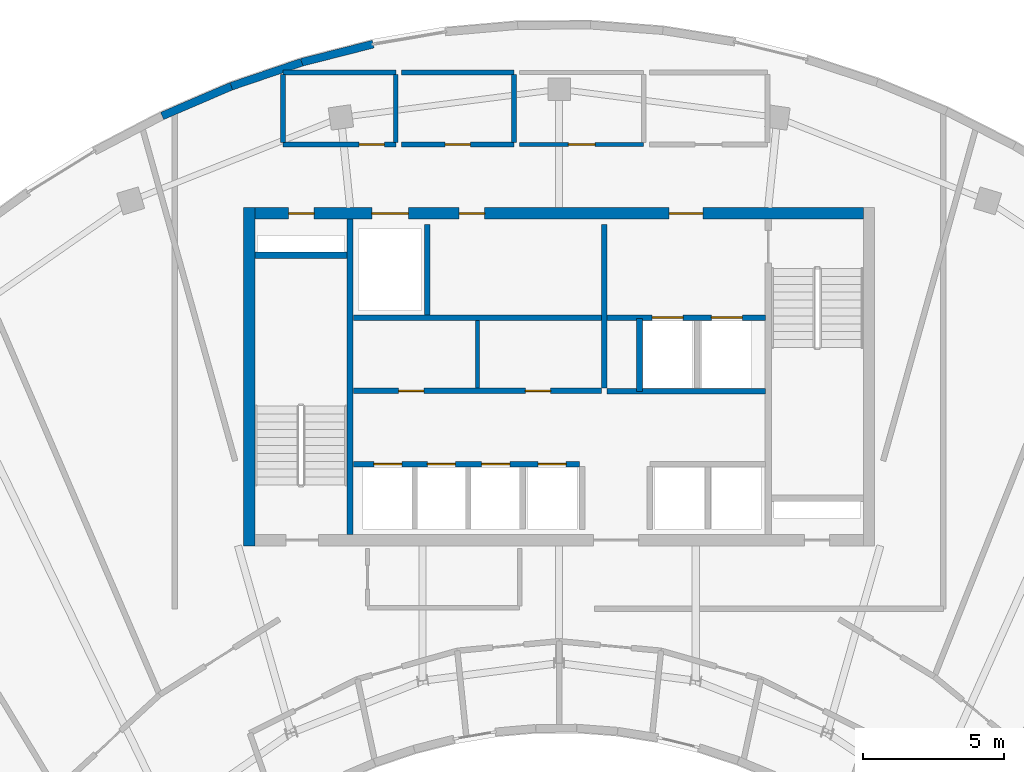
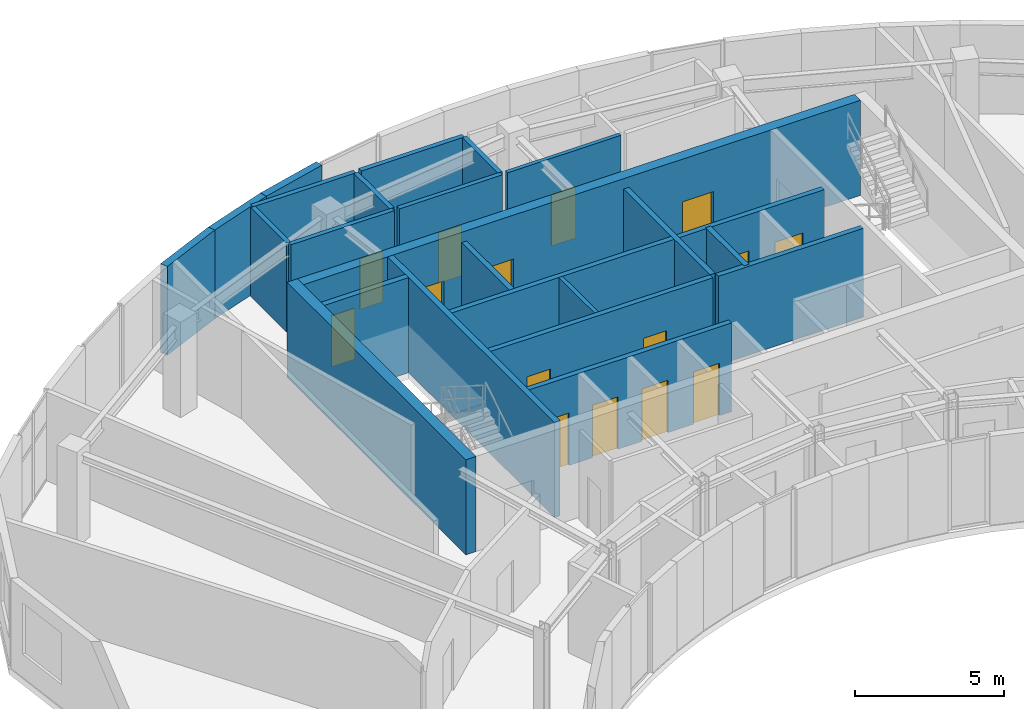
# One storey, part 6 of 9: 24 walls, 15 doors, 15 openings.
"""IFC4 building model written with IfcOpenShell, lengths in metres."""

from ifc_helpers import new_model, si_unit, direction, frame, frame_2d, origin, place, context, subcontext, project, spatial, rectangle, extrude, source, transform, mapped, material, layer, layer_set, type_object, type_shapes, element, fill, save


model = new_model("IFC4")

# Units and contexts
model_context = context("Model", 3, precision=1e-05, world=origin(), true_north=direction((0.0, 1.0)))
body_context = subcontext(model_context, "Body", "Model", "MODEL_VIEW")
ifc_project = project(units=[si_unit("LENGTHUNIT", "METRE"), si_unit("AREAUNIT", "SQUARE_METRE"), si_unit("VOLUMEUNIT", "CUBIC_METRE"), si_unit("PLANEANGLEUNIT", "RADIAN"), si_unit("MASSUNIT", "GRAM", prefix="KILO")], contexts=[model_context])

# Site, building, storey
site_placement = place(None, origin())
site = spatial("IfcSite", under=ifc_project, at=site_placement, CompositionType="ELEMENT")
building_placement = place(site_placement, origin())
building = spatial("IfcBuilding", under=site, at=building_placement, Name="Breltana Convention Tower", CompositionType="ELEMENT")
storey_placement = place(building_placement, frame((0.0, 0.0, 283.5)))
storey = spatial("IfcBuildingStorey", under=building, at=storey_placement, Name="L69", CompositionType="ELEMENT", Elevation=283.5)

# Walls
ifc_material_1 = material(Name="Concrete C50/60", Category="concrete")
ifc_layer_1 = layer(ifc_material_1, 0.39990234375, Name="Concrete C50/60")
ifc_layer_set_1 = layer_set([ifc_layer_1], Name="Concrete C50/60")
wall_type_1 = type_object("IfcWallType", Name="SW-CORE-400", PredefinedType="SHEAR", material=ifc_layer_set_1)
shared_shape_1 = source(origin(), body_context, "Body", "SweptSolid", [
    extrude(rectangle(XDim=3.27001953125, YDim=0.219970703125, at=frame_2d((1.635009765625, 0.0))), origin(), (0.0, 0.0, 1.0), 3.89990234375),
])
wall_1_placement = place(storey_placement, frame((37.199951171875, 70.510009765625, 0.0), z_axis=(0.0, 0.0, 1.0), x_axis=(1.0, 0.0, 0.0)))
element("IfcWall", 1, at=wall_1_placement, inside=storey, type_object=wall_type_1, Name="L69 ST-1 Stairwell North Bearing Wall", PredefinedType="SHEAR", context=body_context, shape_type="MappedRepresentation", body=[
    mapped(shared_shape_1, transform((0.0, 0.0, 0.0), scale=1.0)),
])
shared_shape_2 = source(origin(), body_context, "Body", "SweptSolid", [
    extrude(rectangle(XDim=12.0, YDim=0.39990234375, at=frame_2d((6.0, 0.0))), origin(), (0.0, 0.0, 1.0), 3.89990234375),
])
wall_2_placement = place(storey_placement, frame((37.0, 60.199951171875, 0.0), z_axis=(0.0, 0.0, 1.0), x_axis=(0.0, 1.0, 0.0)))
element("IfcWall", 2, at=wall_2_placement, inside=storey, type_object=wall_type_1, Name="L69 West Core Shear Wall", PredefinedType="SHEAR", context=body_context, shape_type="MappedRepresentation", body=[
    mapped(shared_shape_2, transform((0.0, 0.0, 0.0), scale=1.0)),
])

# Wall, openings, doors
shared_shape_3 = source(origin(), body_context, "Body", "SweptSolid", [
    extrude(rectangle(XDim=21.60009765625, YDim=0.39990234375, at=frame_2d((10.800048828125, 0.0))), origin(), (0.0, 0.0, 1.0), 3.89990234375),
])
wall_3_placement = place(storey_placement, frame((37.199951171875, 72.0, 0.0), z_axis=(0.0, 0.0, 1.0), x_axis=(1.0, 0.0, 0.0)))
wall_3 = element("IfcWall", 3, at=wall_3_placement, inside=storey, type_object=wall_type_1, Name="L69 North Core Shear Wall", PredefinedType="SHEAR", context=body_context, shape_type="MappedRepresentation", body=[
    mapped(shared_shape_3, transform((0.0, 0.0, 0.0), scale=1.0)),
])
opening_1_placement = place(wall_3_placement, frame((1.199951171875, 0.0, 0.0)))
opening_1 = element("IfcOpeningElement", 4, at=opening_1_placement, cuts=wall_3, Name="Opening D-18", PredefinedType="OPENING", context=body_context, shape_type="SweptSolid", body=[
    extrude(rectangle(XDim=0.89990234375, YDim=2.10009765625, at=frame_2d((0.449951171875, 1.050048828125))), frame((0.0, 0.2099609375, 0.0), z_axis=(0.0, -1.0, 0.0), x_axis=(1.0, 0.0, 0.0)), (0.0, 0.0, 1.0), 0.419921875),
])
opening_2_placement = place(wall_3_placement, frame((14.699951171875, 0.0, 0.0)))
opening_2 = element("IfcOpeningElement", 5, at=opening_2_placement, cuts=wall_3, Name="Opening D-09", PredefinedType="OPENING", context=body_context, shape_type="SweptSolid", body=[
    extrude(rectangle(XDim=1.199951171875, YDim=2.14990234375, at=frame_2d((0.60009765625, 1.074951171875))), frame((0.0, 0.2099609375, 0.0), z_axis=(0.0, -1.0, 0.0), x_axis=(1.0, 0.0, 0.0)), (0.0, 0.0, 1.0), 0.419921875),
])
opening_3_placement = place(wall_3_placement, frame((4.14990234375, 0.0, 0.0)))
opening_3 = element("IfcOpeningElement", 6, at=opening_3_placement, cuts=wall_3, Name="Opening LD-01", PredefinedType="OPENING", context=body_context, shape_type="SweptSolid", body=[
    extrude(rectangle(XDim=1.300048828125, YDim=2.14990234375, at=frame_2d((0.64990234375, 1.074951171875))), frame((0.0, 0.2099609375, 0.0), z_axis=(0.0, -1.0, 0.0), x_axis=(1.0, 0.0, 0.0)), (0.0, 0.0, 1.0), 0.419921875),
])
opening_4_placement = place(wall_3_placement, frame((7.25, 0.0, 0.0)))
opening_4 = element("IfcOpeningElement", 7, at=opening_4_placement, cuts=wall_3, Name="Opening D-18", PredefinedType="OPENING", context=body_context, shape_type="SweptSolid", body=[
    extrude(rectangle(XDim=0.89990234375, YDim=2.10009765625, at=frame_2d((0.449951171875, 1.050048828125))), frame((0.0, 0.2099609375, 0.0), z_axis=(0.0, -1.0, 0.0), x_axis=(1.0, 0.0, 0.0)), (0.0, 0.0, 1.0), 0.419921875),
])
ifc_material_2 = material(Name="Steel Riser Fire Door", Category="steel")
door_type_1 = type_object("IfcDoorType", Name="DR-FD60-900", OperationType="NOTDEFINED", PredefinedType="DOOR", material=ifc_material_2)
shared_shape_4 = source(origin(), body_context, "Body", "SweptSolid", [
    extrude(rectangle(XDim=0.89990234375, YDim=2.10009765625, at=frame_2d((0.449951171875, 1.050048828125))), frame((0.0, 0.02490234375, 0.0), z_axis=(0.0, -1.0, 0.0), x_axis=(1.0, 0.0, 0.0)), (0.0, 0.0, 1.0), 0.050048828125),
])
type_shapes(door_type_1, [shared_shape_4])
door_1_placement = place(opening_1_placement, origin())
door_1 = element("IfcDoor", 8, at=door_1_placement, inside=storey, type_object=door_type_1, Name="L69 Core Riser Access Door D-L69-RS1", OperationType="SINGLE_SWING_LEFT", OverallHeight=2.10009765625, OverallWidth=0.89990234375, PredefinedType="DOOR", context=body_context, shape_type="MappedRepresentation", body=[
    mapped(shared_shape_4, transform((0.0, 0.0, 0.0), scale=1.0)),
])
fill(opening_1, door_1)
door_2_placement = place(opening_4_placement, origin())
door_2 = element("IfcDoor", 9, at=door_2_placement, inside=storey, type_object=door_type_1, Name="L69 interior door D-L69-CRA1", OperationType="SINGLE_SWING_LEFT", OverallHeight=2.10009765625, OverallWidth=0.89990234375, PredefinedType="DOOR", context=body_context, shape_type="MappedRepresentation", body=[
    mapped(shared_shape_4, transform((0.0, 0.0, 0.0), scale=1.0)),
])
fill(opening_4, door_2)
ifc_material_3 = material(Name="Steel Fire Lobby Door", Category="steel")
door_type_2 = type_object("IfcDoorType", Name="DR-FD120-1200", OperationType="NOTDEFINED", PredefinedType="DOOR", material=ifc_material_3)
shared_shape_5 = source(origin(), body_context, "Body", "SweptSolid", [
    extrude(rectangle(XDim=1.199951171875, YDim=2.14990234375, at=frame_2d((0.60009765625, 1.074951171875))), frame((0.0, 0.02490234375, 0.0), z_axis=(0.0, -1.0, 0.0), x_axis=(1.0, 0.0, 0.0)), (0.0, 0.0, 1.0), 0.050048828125),
])
type_shapes(door_type_2, [shared_shape_5])
door_3_placement = place(opening_2_placement, origin())
door_3 = element("IfcDoor", 10, at=door_3_placement, inside=storey, type_object=door_type_2, Name="L69 interior door D-L69-FFL-N", OperationType="SINGLE_SWING_RIGHT", OverallHeight=2.14990234375, OverallWidth=1.199951171875, PredefinedType="DOOR", context=body_context, shape_type="MappedRepresentation", body=[
    mapped(shared_shape_5, transform((0.0, 0.0, 0.0), scale=1.0)),
])
fill(opening_2, door_3)
ifc_material_4 = material(Name="Stainless Steel Brushed", Category="steel")
door_type_3 = type_object("IfcDoorType", Name="DR-LD-SRV-1300", OperationType="DOUBLE_DOOR_SLIDING", PredefinedType="DOOR", material=ifc_material_4)
shared_shape_6 = source(origin(), body_context, "Body", "SweptSolid", [
    extrude(rectangle(XDim=1.300048828125, YDim=2.14990234375, at=frame_2d((0.64990234375, 1.074951171875))), frame((0.0, 0.02490234375, 0.0), z_axis=(0.0, -1.0, 0.0), x_axis=(1.0, 0.0, 0.0)), (0.0, 0.0, 1.0), 0.050048828125),
])
type_shapes(door_type_3, [shared_shape_6])
door_4_placement = place(opening_3_placement, origin())
door_4 = element("IfcDoor", 11, at=door_4_placement, inside=storey, type_object=door_type_3, Name="L69 Lift Landing Door D-L69-LD-SV1", OperationType="DOUBLE_DOOR_SLIDING", OverallHeight=2.14990234375, OverallWidth=1.300048828125, PredefinedType="DOOR", context=body_context, shape_type="MappedRepresentation", body=[
    mapped(shared_shape_6, transform((0.0, 0.0, 0.0), scale=1.0)),
])
fill(opening_3, door_4)

# Walls
shared_shape_7 = source(origin(), body_context, "Body", "SweptSolid", [
    extrude(rectangle(XDim=11.199951171875, YDim=0.219970703125, at=frame_2d((5.60009765625, 0.0))), origin(), (0.0, 0.0, 1.0), 3.89990234375),
])
wall_4_placement = place(storey_placement, frame((40.580078125, 60.60009765625, 0.0), z_axis=(0.0, 0.0, 1.0), x_axis=(0.0, 1.0, 0.0)))
element("IfcWall", 12, at=wall_4_placement, inside=storey, type_object=wall_type_1, Name="L69 Core West Stair Spine Wall", PredefinedType="SHEAR", context=body_context, shape_type="MappedRepresentation", body=[
    mapped(shared_shape_7, transform((0.0, 0.0, 0.0), scale=1.0)),
])
ifc_material_5 = material(Name="Limestone Buff Insulated Wall", Category="masonry")
ifc_layer_2 = layer(ifc_material_5, 0.280029296875, Name="Limestone Buff Insulated Wall")
ifc_layer_set_2 = layer_set([ifc_layer_2], Name="Limestone Buff Insulated Wall")
wall_type_2 = type_object("IfcWallType", Name="WL-EXT-NOSE-280", PredefinedType="SOLIDWALL", material=ifc_layer_set_2)
shared_shape_8 = source(origin(), body_context, "Body", "SweptSolid", [
    extrude(rectangle(XDim=2.67333984375, YDim=0.280029296875, at=frame_2d((1.336669921875, 0.0))), origin(), (0.0, 0.0, 1.0), 3.639892578125),
])
wall_5_placement = place(storey_placement, frame((33.906982421875, 75.45751953125, 0.0), z_axis=(0.0, 0.0, 1.0), x_axis=(0.919036345912, 0.394172798266, 0.0)))
element("IfcWall", 13, at=wall_5_placement, inside=storey, type_object=wall_type_2, Name="L69 curved limestone nose wall E22", PredefinedType="SOLIDWALL", context=body_context, shape_type="MappedRepresentation", body=[
    mapped(shared_shape_8, transform((0.0, 0.0, 0.0), scale=1.0)),
])
shared_shape_9 = source(origin(), body_context, "Body", "SweptSolid", [
    extrude(rectangle(XDim=2.640380859375, YDim=0.280029296875, at=frame_2d((1.3203125, 0.0))), origin(), (0.0, 0.0, 1.0), 3.639892578125),
])
wall_6_placement = place(storey_placement, frame((36.36376953125, 76.51123046875, 0.0), z_axis=(0.0, 0.0, 1.0), x_axis=(0.946685911962, 0.322158011064, 0.0)))
element("IfcWall", 14, at=wall_6_placement, inside=storey, type_object=wall_type_2, Name="L69 curved limestone nose wall E23", PredefinedType="SOLIDWALL", context=body_context, shape_type="MappedRepresentation", body=[
    mapped(shared_shape_9, transform((0.0, 0.0, 0.0), scale=1.0)),
])
shared_shape_10 = source(origin(), body_context, "Body", "SweptSolid", [
    extrude(rectangle(XDim=2.6142578125, YDim=0.280029296875, at=frame_2d((1.30712890625, 0.0))), origin(), (0.0, 0.0, 1.0), 3.639892578125),
])
wall_7_placement = place(storey_placement, frame((38.86328125, 77.36181640625, 0.0), z_axis=(0.0, 0.0, 1.0), x_axis=(0.969106509315, 0.246642602978, 0.0)))
element("IfcWall", 15, at=wall_7_placement, inside=storey, type_object=wall_type_2, Name="L69 curved limestone nose wall E24", PredefinedType="SOLIDWALL", context=body_context, shape_type="MappedRepresentation", body=[
    mapped(shared_shape_10, transform((0.0, 0.0, 0.0), scale=1.0)),
])

# Wall, openings, doors
ifc_material_6 = material(Name="Autoclaved Aerated Concrete Block", Category="concrete")
ifc_layer_3 = layer(ifc_material_6, 0.199951171875, Name="Autoclaved Aerated Concrete Block")
ifc_layer_set_3 = layer_set([ifc_layer_3], Name="Autoclaved Aerated Concrete Block")
wall_type_3 = type_object("IfcWallType", Name="WL-SHAFT-200", PredefinedType="SOLIDWALL", material=ifc_layer_set_3)
shared_shape_11 = source(origin(), body_context, "Body", "SweptSolid", [
    extrude(rectangle(XDim=5.6201171875, YDim=0.199951171875, at=frame_2d((2.81005859375, 0.0))), origin(), (0.0, 0.0, 1.0), 3.639892578125),
])
wall_8_placement = place(storey_placement, frame((49.699951171875, 68.300048828125, 0.0), z_axis=(0.0, 0.0, 1.0), x_axis=(1.0, 0.0, 0.0)))
wall_8 = element("IfcWall", 16, at=wall_8_placement, inside=storey, type_object=wall_type_3, Name="L69 interior partition W-L69-FFL-S", PredefinedType="SOLIDWALL", context=body_context, shape_type="MappedRepresentation", body=[
    mapped(shared_shape_11, transform((0.0, 0.0, 0.0), scale=1.0)),
])
opening_5_placement = place(wall_8_placement, frame((1.60009765625, 0.0, 0.0)))
opening_5 = element("IfcOpeningElement", 17, at=opening_5_placement, cuts=wall_8, Name="Opening LD-03", PredefinedType="OPENING", context=body_context, shape_type="SweptSolid", body=[
    extrude(rectangle(XDim=1.10009765625, YDim=2.14990234375, at=frame_2d((0.550048828125, 1.074951171875))), frame((0.0, 0.10986328125, 0.0), z_axis=(0.0, -1.0, 0.0), x_axis=(1.0, 0.0, 0.0)), (0.0, 0.0, 1.0), 0.219970703125),
])
opening_6_placement = place(wall_8_placement, frame((3.699951171875, 0.0, 0.0)))
opening_6 = element("IfcOpeningElement", 18, at=opening_6_placement, cuts=wall_8, Name="Opening LD-03", PredefinedType="OPENING", context=body_context, shape_type="SweptSolid", body=[
    extrude(rectangle(XDim=1.10009765625, YDim=2.14990234375, at=frame_2d((0.550048828125, 1.074951171875))), frame((0.0, 0.10986328125, 0.0), z_axis=(0.0, -1.0, 0.0), x_axis=(1.0, 0.0, 0.0)), (0.0, 0.0, 1.0), 0.219970703125),
])
door_type_4 = type_object("IfcDoorType", Name="DR-LD-FF-1100", OperationType="DOUBLE_DOOR_SLIDING", PredefinedType="DOOR", material=ifc_material_4)
shared_shape_12 = source(origin(), body_context, "Body", "SweptSolid", [
    extrude(rectangle(XDim=1.10009765625, YDim=2.14990234375, at=frame_2d((0.550048828125, 1.074951171875))), frame((0.0, 0.02490234375, 0.0), z_axis=(0.0, -1.0, 0.0), x_axis=(1.0, 0.0, 0.0)), (0.0, 0.0, 1.0), 0.050048828125),
])
type_shapes(door_type_4, [shared_shape_12])
door_5_placement = place(opening_5_placement, origin())
door_5 = element("IfcDoor", 19, at=door_5_placement, inside=storey, type_object=door_type_4, Name="L69 Lift Landing Door D-L69-LD-FL1", OperationType="DOUBLE_DOOR_SLIDING", OverallHeight=2.14990234375, OverallWidth=1.10009765625, PredefinedType="DOOR", context=body_context, shape_type="MappedRepresentation", body=[
    mapped(shared_shape_12, transform((0.0, 0.0, 0.0), scale=1.0)),
])
fill(opening_5, door_5)
door_6_placement = place(opening_6_placement, origin())
door_6 = element("IfcDoor", 20, at=door_6_placement, inside=storey, type_object=door_type_4, Name="L69 Lift Landing Door D-L69-LD-FL2", OperationType="DOUBLE_DOOR_SLIDING", OverallHeight=2.14990234375, OverallWidth=1.10009765625, PredefinedType="DOOR", context=body_context, shape_type="MappedRepresentation", body=[
    mapped(shared_shape_12, transform((0.0, 0.0, 0.0), scale=1.0)),
])
fill(opening_6, door_6)

# Walls
wall_9_placement = place(storey_placement, frame((49.699951171875, 65.679931640625, 0.0), z_axis=(0.0, 0.0, 1.0), x_axis=(1.0, 0.0, 0.0)))
element("IfcWall", 21, at=wall_9_placement, inside=storey, type_object=wall_type_3, Name="L69 interior partition W-L69-FL-S", PredefinedType="SOLIDWALL", context=body_context, shape_type="MappedRepresentation", body=[
    mapped(shared_shape_11, transform((0.0, 0.0, 0.0), scale=1.0)),
])
shared_shape_13 = source(origin(), body_context, "Body", "SweptSolid", [
    extrude(rectangle(XDim=5.800048828125, YDim=0.199951171875, at=frame_2d((2.89990234375, 0.0))), origin(), (0.0, 0.0, 1.0), 3.639892578125),
])
wall_10_placement = place(storey_placement, frame((49.60009765625, 65.800048828125, 0.0), z_axis=(0.0, 0.0, 1.0), x_axis=(0.0, 1.0, 0.0)))
element("IfcWall", 22, at=wall_10_placement, inside=storey, type_object=wall_type_3, Name="L69 interior partition W-L69-FFL-W", PredefinedType="SOLIDWALL", context=body_context, shape_type="MappedRepresentation", body=[
    mapped(shared_shape_13, transform((0.0, 0.0, 0.0), scale=1.0)),
])
shared_shape_14 = source(origin(), body_context, "Body", "SweptSolid", [
    extrude(rectangle(XDim=2.580078125, YDim=0.199951171875, at=frame_2d((1.2900390625, 0.0))), origin(), (0.0, 0.0, 1.0), 3.639892578125),
])
wall_11_placement = place(storey_placement, frame((50.85009765625, 65.679931640625, 0.0), z_axis=(0.0, 0.0, 1.0), x_axis=(0.0, 1.0, 0.0)))
element("IfcWall", 23, at=wall_11_placement, inside=storey, type_object=wall_type_3, Name="L69 interior partition W-L69-FL-W", PredefinedType="SOLIDWALL", context=body_context, shape_type="MappedRepresentation", body=[
    mapped(shared_shape_14, transform((0.0, 0.0, 0.0), scale=1.0)),
])
shared_shape_15 = source(origin(), body_context, "Body", "SweptSolid", [
    extrude(rectangle(XDim=3.2001953125, YDim=0.199951171875, at=frame_2d((1.60009765625, 0.0))), origin(), (0.0, 0.0, 1.0), 3.639892578125),
])
wall_12_placement = place(storey_placement, frame((43.320068359375, 68.39990234375, 0.0), z_axis=(0.0, 0.0, 1.0), x_axis=(0.0, 1.0, 0.0)))
element("IfcWall", 24, at=wall_12_placement, inside=storey, type_object=wall_type_3, Name="L69 interior partition W-L69-SV-E", PredefinedType="SOLIDWALL", context=body_context, shape_type="MappedRepresentation", body=[
    mapped(shared_shape_15, transform((0.0, 0.0, 0.0), scale=1.0)),
])
shared_shape_16 = source(origin(), body_context, "Body", "SweptSolid", [
    extrude(rectangle(XDim=8.800048828125, YDim=0.199951171875, at=frame_2d((4.39990234375, 0.0))), origin(), (0.0, 0.0, 1.0), 3.639892578125),
])
wall_13_placement = place(storey_placement, frame((40.699951171875, 68.300048828125, 0.0), z_axis=(0.0, 0.0, 1.0), x_axis=(1.0, 0.0, 0.0)))
element("IfcWall", 25, at=wall_13_placement, inside=storey, type_object=wall_type_3, Name="L69 interior partition W-L69-SV-S", PredefinedType="SOLIDWALL", context=body_context, shape_type="MappedRepresentation", body=[
    mapped(shared_shape_16, transform((0.0, 0.0, 0.0), scale=1.0)),
])

# Wall, openings, doors
wall_14_placement = place(storey_placement, frame((40.699951171875, 65.699951171875, 0.0), z_axis=(0.0, 0.0, 1.0), x_axis=(1.0, 0.0, 0.0)))
wall_14 = element("IfcWall", 26, at=wall_14_placement, inside=storey, type_object=wall_type_3, Name="L69 interior partition W-L69-SH-M-FRONT", PredefinedType="SOLIDWALL", context=body_context, shape_type="MappedRepresentation", body=[
    mapped(shared_shape_16, transform((0.0, 0.0, 0.0), scale=1.0)),
])
opening_7_placement = place(wall_14_placement, frame((1.60009765625, 0.0, 0.0)))
opening_7 = element("IfcOpeningElement", 27, at=opening_7_placement, cuts=wall_14, Name="Opening D-18", PredefinedType="OPENING", context=body_context, shape_type="SweptSolid", body=[
    extrude(rectangle(XDim=0.89990234375, YDim=2.10009765625, at=frame_2d((0.449951171875, 1.050048828125))), frame((0.0, 0.10986328125, 0.0), z_axis=(0.0, -1.0, 0.0), x_axis=(1.0, 0.0, 0.0)), (0.0, 0.0, 1.0), 0.219970703125),
])
opening_8_placement = place(wall_14_placement, frame((6.10009765625, 0.0, 0.0)))
opening_8 = element("IfcOpeningElement", 28, at=opening_8_placement, cuts=wall_14, Name="Opening D-18", PredefinedType="OPENING", context=body_context, shape_type="SweptSolid", body=[
    extrude(rectangle(XDim=0.89990234375, YDim=2.10009765625, at=frame_2d((0.449951171875, 1.050048828125))), frame((0.0, 0.10986328125, 0.0), z_axis=(0.0, -1.0, 0.0), x_axis=(1.0, 0.0, 0.0)), (0.0, 0.0, 1.0), 0.219970703125),
])
door_7_placement = place(opening_7_placement, origin())
door_7 = element("IfcDoor", 29, at=door_7_placement, inside=storey, type_object=door_type_1, Name="L69 interior door D-L69-LV7-B2A", OperationType="SINGLE_SWING_RIGHT", OverallHeight=2.10009765625, OverallWidth=0.89990234375, PredefinedType="DOOR", context=body_context, shape_type="MappedRepresentation", body=[
    mapped(shared_shape_4, transform((0.0, 0.0, 0.0), scale=1.0)),
])
fill(opening_7, door_7)
door_8_placement = place(opening_8_placement, origin())
door_8 = element("IfcDoor", 30, at=door_8_placement, inside=storey, type_object=door_type_1, Name="L69 interior door D-L69-LV7-B2B", OperationType="SINGLE_SWING_LEFT", OverallHeight=2.10009765625, OverallWidth=0.89990234375, PredefinedType="DOOR", context=body_context, shape_type="MappedRepresentation", body=[
    mapped(shared_shape_4, transform((0.0, 0.0, 0.0), scale=1.0)),
])
fill(opening_8, door_8)

shared_shape_17 = source(origin(), body_context, "Body", "SweptSolid", [
    extrude(rectangle(XDim=8.02001953125, YDim=0.199951171875, at=frame_2d((4.010009765625, 0.0))), origin(), (0.0, 0.0, 1.0), 3.639892578125),
])
wall_15_placement = place(storey_placement, frame((40.699951171875, 63.10009765625, 0.0), z_axis=(0.0, 0.0, 1.0), x_axis=(1.0, 0.0, 0.0)))
wall_15 = element("IfcWall", 31, at=wall_15_placement, inside=storey, type_object=wall_type_3, Name="L69 interior partition W-L69-SH-S-FRONT", PredefinedType="SOLIDWALL", context=body_context, shape_type="MappedRepresentation", body=[
    mapped(shared_shape_17, transform((0.0, 0.0, 0.0), scale=1.0)),
])
opening_9_placement = place(wall_15_placement, frame((0.719970703125, 0.0, 0.0)))
opening_9 = element("IfcOpeningElement", 32, at=opening_9_placement, cuts=wall_15, Name="Opening LD-04", PredefinedType="OPENING", context=body_context, shape_type="SweptSolid", body=[
    extrude(rectangle(XDim=1.0, YDim=2.14990234375, at=frame_2d((0.5, 1.074951171875))), frame((0.0, 0.10986328125, 0.0), z_axis=(0.0, -1.0, 0.0), x_axis=(1.0, 0.0, 0.0)), (0.0, 0.0, 1.0), 0.219970703125),
])
opening_10_placement = place(wall_15_placement, frame((2.6201171875, 0.0, 0.0)))
opening_10 = element("IfcOpeningElement", 33, at=opening_10_placement, cuts=wall_15, Name="Opening LD-04", PredefinedType="OPENING", context=body_context, shape_type="SweptSolid", body=[
    extrude(rectangle(XDim=1.0, YDim=2.14990234375, at=frame_2d((0.5, 1.074951171875))), frame((0.0, 0.10986328125, 0.0), z_axis=(0.0, -1.0, 0.0), x_axis=(1.0, 0.0, 0.0)), (0.0, 0.0, 1.0), 0.219970703125),
])
opening_11_placement = place(wall_15_placement, frame((4.550048828125, 0.0, 0.0)))
opening_11 = element("IfcOpeningElement", 34, at=opening_11_placement, cuts=wall_15, Name="Opening LD-04", PredefinedType="OPENING", context=body_context, shape_type="SweptSolid", body=[
    extrude(rectangle(XDim=1.0, YDim=2.14990234375, at=frame_2d((0.5, 1.074951171875))), frame((0.0, 0.10986328125, 0.0), z_axis=(0.0, -1.0, 0.0), x_axis=(1.0, 0.0, 0.0)), (0.0, 0.0, 1.0), 0.219970703125),
])
opening_12_placement = place(wall_15_placement, frame((6.550048828125, 0.0, 0.0)))
opening_12 = element("IfcOpeningElement", 35, at=opening_12_placement, cuts=wall_15, Name="Opening LD-04", PredefinedType="OPENING", context=body_context, shape_type="SweptSolid", body=[
    extrude(rectangle(XDim=1.0, YDim=2.14990234375, at=frame_2d((0.5, 1.074951171875))), frame((0.0, 0.10986328125, 0.0), z_axis=(0.0, -1.0, 0.0), x_axis=(1.0, 0.0, 0.0)), (0.0, 0.0, 1.0), 0.219970703125),
])
door_type_5 = type_object("IfcDoorType", Name="DR-LD-PAX-1000", OperationType="DOUBLE_DOOR_SLIDING", PredefinedType="DOOR", material=ifc_material_4)
shared_shape_18 = source(origin(), body_context, "Body", "SweptSolid", [
    extrude(rectangle(XDim=1.0, YDim=2.14990234375, at=frame_2d((0.5, 1.074951171875))), frame((0.0, 0.02490234375, 0.0), z_axis=(0.0, -1.0, 0.0), x_axis=(1.0, 0.0, 0.0)), (0.0, 0.0, 1.0), 0.050048828125),
])
type_shapes(door_type_5, [shared_shape_18])
door_9_placement = place(opening_9_placement, origin())
door_9 = element("IfcDoor", 36, at=door_9_placement, inside=storey, type_object=door_type_5, Name="L69 Lift Landing Door D-L69-LD-S1", OperationType="DOUBLE_DOOR_SLIDING", OverallHeight=2.14990234375, OverallWidth=1.0, PredefinedType="DOOR", context=body_context, shape_type="MappedRepresentation", body=[
    mapped(shared_shape_18, transform((0.0, 0.0, 0.0), scale=1.0)),
])
fill(opening_9, door_9)
door_10_placement = place(opening_10_placement, origin())
door_10 = element("IfcDoor", 37, at=door_10_placement, inside=storey, type_object=door_type_5, Name="L69 Lift Landing Door D-L69-LD-S2", OperationType="DOUBLE_DOOR_SLIDING", OverallHeight=2.14990234375, OverallWidth=1.0, PredefinedType="DOOR", context=body_context, shape_type="MappedRepresentation", body=[
    mapped(shared_shape_18, transform((0.0, 0.0, 0.0), scale=1.0)),
])
fill(opening_10, door_10)
door_11_placement = place(opening_11_placement, origin())
door_11 = element("IfcDoor", 38, at=door_11_placement, inside=storey, type_object=door_type_5, Name="L69 Lift Landing Door D-L69-LD-S3", OperationType="DOUBLE_DOOR_SLIDING", OverallHeight=2.14990234375, OverallWidth=1.0, PredefinedType="DOOR", context=body_context, shape_type="MappedRepresentation", body=[
    mapped(shared_shape_18, transform((0.0, 0.0, 0.0), scale=1.0)),
])
fill(opening_11, door_11)
door_12_placement = place(opening_12_placement, origin())
door_12 = element("IfcDoor", 39, at=door_12_placement, inside=storey, type_object=door_type_5, Name="L69 Lift Landing Door D-L69-LD-S4", OperationType="DOUBLE_DOOR_SLIDING", OverallHeight=2.14990234375, OverallWidth=1.0, PredefinedType="DOOR", context=body_context, shape_type="MappedRepresentation", body=[
    mapped(shared_shape_18, transform((0.0, 0.0, 0.0), scale=1.0)),
])
fill(opening_12, door_12)

# Wall, opening, door
ifc_material_7 = material(Name="Cement Board Wet-Area Partition")
ifc_layer_4 = layer(ifc_material_7, 0.175048828125, Name="Cement Board Wet-Area Partition")
ifc_layer_set_4 = layer_set([ifc_layer_4], Name="Cement Board Wet-Area Partition")
wall_type_4 = type_object("IfcWallType", Name="WL-WET-175", PredefinedType="PARTITIONING", material=ifc_layer_set_4)
shared_shape_19 = source(origin(), body_context, "Body", "SweptSolid", [
    extrude(rectangle(XDim=4.0, YDim=0.175048828125, at=frame_2d((2.0, 0.0))), origin(), (0.0, 0.0, 1.0), 3.639892578125),
])
wall_16_placement = place(storey_placement, frame((38.199951171875, 74.43994140625, 0.0), z_axis=(0.0, 0.0, 1.0), x_axis=(1.0, 0.0, 0.0)))
wall_16 = element("IfcWall", 40, at=wall_16_placement, inside=storey, type_object=wall_type_4, Name="L69 interior partition W-L69-WCM-S", PredefinedType="PARTITIONING", context=body_context, shape_type="MappedRepresentation", body=[
    mapped(shared_shape_19, transform((0.0, 0.0, 0.0), scale=1.0)),
])
opening_13_placement = place(wall_16_placement, frame((2.699951171875, 0.0, 0.0)))
opening_13 = element("IfcOpeningElement", 41, at=opening_13_placement, cuts=wall_16, Name="Opening D-19", PredefinedType="OPENING", context=body_context, shape_type="SweptSolid", body=[
    extrude(rectangle(XDim=0.89990234375, YDim=2.080078125, at=frame_2d((0.449951171875, 1.0400390625))), frame((0.0, 0.09765625, 0.0), z_axis=(0.0, -1.0, 0.0), x_axis=(1.0, 0.0, 0.0)), (0.0, 0.0, 1.0), 0.195068359375),
])
ifc_material_8 = material(Name="Timber Moisture-Resistant Door", Category="wood")
door_type_6 = type_object("IfcDoorType", Name="DR-WC-900", OperationType="NOTDEFINED", PredefinedType="DOOR", material=ifc_material_8)
shared_shape_20 = source(origin(), body_context, "Body", "SweptSolid", [
    extrude(rectangle(XDim=0.89990234375, YDim=2.080078125, at=frame_2d((0.449951171875, 1.0400390625))), frame((0.0, 0.02490234375, 0.0), z_axis=(0.0, -1.0, 0.0), x_axis=(1.0, 0.0, 0.0)), (0.0, 0.0, 1.0), 0.050048828125),
])
type_shapes(door_type_6, [shared_shape_20])
door_13_placement = place(opening_13_placement, origin())
door_13 = element("IfcDoor", 42, at=door_13_placement, inside=storey, type_object=door_type_6, Name="L69 interior door D-L69-WCM", OperationType="SINGLE_SWING_LEFT", OverallHeight=2.080078125, OverallWidth=0.89990234375, PredefinedType="DOOR", context=body_context, shape_type="MappedRepresentation", body=[
    mapped(shared_shape_20, transform((0.0, 0.0, 0.0), scale=1.0)),
])
fill(opening_13, door_13)

wall_17_placement = place(storey_placement, frame((42.39990234375, 74.43994140625, 0.0), z_axis=(0.0, 0.0, 1.0), x_axis=(1.0, 0.0, 0.0)))
wall_17 = element("IfcWall", 43, at=wall_17_placement, inside=storey, type_object=wall_type_4, Name="L69 interior partition W-L69-WCF-S", PredefinedType="PARTITIONING", context=body_context, shape_type="MappedRepresentation", body=[
    mapped(shared_shape_19, transform((0.0, 0.0, 0.0), scale=1.0)),
])
opening_14_placement = place(wall_17_placement, frame((1.550048828125, 0.0, 0.0)))
opening_14 = element("IfcOpeningElement", 44, at=opening_14_placement, cuts=wall_17, Name="Opening D-19", PredefinedType="OPENING", context=body_context, shape_type="SweptSolid", body=[
    extrude(rectangle(XDim=0.89990234375, YDim=2.080078125, at=frame_2d((0.449951171875, 1.0400390625))), frame((0.0, 0.09765625, 0.0), z_axis=(0.0, -1.0, 0.0), x_axis=(1.0, 0.0, 0.0)), (0.0, 0.0, 1.0), 0.195068359375),
])
door_14_placement = place(opening_14_placement, origin())
door_14 = element("IfcDoor", 45, at=door_14_placement, inside=storey, type_object=door_type_6, Name="L69 interior door D-L69-WCF", OperationType="SINGLE_SWING_RIGHT", OverallHeight=2.080078125, OverallWidth=0.89990234375, PredefinedType="DOOR", context=body_context, shape_type="MappedRepresentation", body=[
    mapped(shared_shape_20, transform((0.0, 0.0, 0.0), scale=1.0)),
])
fill(opening_14, door_14)

# Walls
ifc_material_9 = material(Name="Moisture-Resistant Gypsum Chase Wall")
ifc_layer_5 = layer(ifc_material_9, 0.179931640625, Name="Moisture-Resistant Gypsum Chase Wall")
ifc_layer_set_5 = layer_set([ifc_layer_5], Name="Moisture-Resistant Gypsum Chase Wall")
wall_type_5 = type_object("IfcWallType", Name="WL-PLUMB-180", PredefinedType="PLUMBINGWALL", material=ifc_layer_set_5)
shared_shape_21 = source(origin(), body_context, "Body", "SweptSolid", [
    extrude(rectangle(XDim=4.0, YDim=0.179931640625, at=frame_2d((2.0, 0.0))), origin(), (0.0, 0.0, 1.0), 3.639892578125),
])
for number, where, z_axis, x_axis, name in (
    (46, (38.199951171875, 77.0, 0.0), (0.0, 0.0, 1.0), (1.0, 0.0, 0.0), "L69 interior partition W-L69-WCM-N"),
    (47, (42.39990234375, 77.0, 0.0), (0.0, 0.0, 1.0), (1.0, 0.0, 0.0), "L69 interior partition W-L69-WCF-N"),
):
    element("IfcWall", number, at=place(storey_placement, frame(where, z_axis=z_axis, x_axis=x_axis)), inside=storey, type_object=wall_type_5, Name=name, PredefinedType="PLUMBINGWALL", context=body_context, shape_type="MappedRepresentation", body=[
        mapped(shared_shape_21, transform((0.0, 0.0, 0.0), scale=1.0)),
    ])
shared_shape_22 = source(origin(), body_context, "Body", "SweptSolid", [
    extrude(rectangle(XDim=2.402587890625, YDim=0.175048828125, at=frame_2d((1.201171875, 0.0))), origin(), (0.0, 0.0, 1.0), 3.639892578125),
])
for number, where, z_axis, x_axis, name in (
    (48, (38.199951171875, 74.518798828125, 0.0), (0.0, 0.0, 1.0), (0.0, 1.0, 0.0), "L69 interior partition W-L69-WCM-W"),
    (49, (42.199951171875, 74.518798828125, 0.0), (0.0, 0.0, 1.0), (0.0, 1.0, 0.0), "L69 interior partition W-L69-WCM-E"),
    (50, (46.39990234375, 74.518798828125, 0.0), (0.0, 0.0, 1.0), (0.0, 1.0, 0.0), "L69 interior partition W-L69-WCF-E"),
):
    element("IfcWall", number, at=place(storey_placement, frame(where, z_axis=z_axis, x_axis=x_axis)), inside=storey, type_object=wall_type_4, Name=name, PredefinedType="PARTITIONING", context=body_context, shape_type="MappedRepresentation", body=[
        mapped(shared_shape_22, transform((0.0, 0.0, 0.0), scale=1.0)),
    ])

# Wall, opening, door
ifc_material_10 = material(Name="Gypsum Acoustic Drywall Partition")
ifc_layer_6 = layer(ifc_material_10, 0.14990234375, Name="Gypsum Acoustic Drywall Partition")
ifc_layer_set_6 = layer_set([ifc_layer_6], Name="Gypsum Acoustic Drywall Partition")
wall_type_6 = type_object("IfcWallType", Name="WL-PART-150", PredefinedType="PARTITIONING", material=ifc_layer_set_6)
shared_shape_23 = source(origin(), body_context, "Body", "SweptSolid", [
    extrude(rectangle(XDim=4.39990234375, YDim=0.14990234375, at=frame_2d((2.199951171875, 0.0))), origin(), (0.0, 0.0, 1.0), 3.639892578125),
])
wall_18_placement = place(storey_placement, frame((46.60009765625, 74.43994140625, 0.0), z_axis=(0.0, 0.0, 1.0), x_axis=(1.0, 0.0, 0.0)))
wall_18 = element("IfcWall", 51, at=wall_18_placement, inside=storey, type_object=wall_type_6, Name="L69 interior partition W-L69-PNT-S", PredefinedType="PARTITIONING", context=body_context, shape_type="MappedRepresentation", body=[
    mapped(shared_shape_23, transform((0.0, 0.0, 0.0), scale=1.0)),
])
opening_15_placement = place(wall_18_placement, frame((1.72509765625, 0.0, 0.0)))
opening_15 = element("IfcOpeningElement", 52, at=opening_15_placement, cuts=wall_18, Name="Opening D-17", PredefinedType="OPENING", context=body_context, shape_type="SweptSolid", body=[
    extrude(rectangle(XDim=0.949951171875, YDim=2.10009765625, at=frame_2d((0.47509765625, 1.050048828125))), frame((0.0, 0.0849609375, 0.0), z_axis=(0.0, -1.0, 0.0), x_axis=(1.0, 0.0, 0.0)), (0.0, 0.0, 1.0), 0.169921875),
])
ifc_material_11 = material(Name="Timber Oak Veneer Door", Category="wood")
door_type_7 = type_object("IfcDoorType", Name="DR-INT-950", OperationType="NOTDEFINED", PredefinedType="DOOR", material=ifc_material_11)
shared_shape_24 = source(origin(), body_context, "Body", "SweptSolid", [
    extrude(rectangle(XDim=0.949951171875, YDim=2.10009765625, at=frame_2d((0.47509765625, 1.050048828125))), frame((0.0, 0.02490234375, 0.0), z_axis=(0.0, -1.0, 0.0), x_axis=(1.0, 0.0, 0.0)), (0.0, 0.0, 1.0), 0.050048828125),
])
type_shapes(door_type_7, [shared_shape_24])
door_15_placement = place(opening_15_placement, origin())
door_15 = element("IfcDoor", 53, at=door_15_placement, inside=storey, type_object=door_type_7, Name="L69 interior door D-L69-PNT", OperationType="SINGLE_SWING_LEFT", OverallHeight=2.10009765625, OverallWidth=0.949951171875, PredefinedType="DOOR", context=body_context, shape_type="MappedRepresentation", body=[
    mapped(shared_shape_24, transform((0.0, 0.0, 0.0), scale=1.0)),
])
fill(opening_15, door_15)

# Wall
shared_shape_25 = source(origin(), body_context, "Body", "SweptSolid", [
    extrude(rectangle(XDim=2.39990234375, YDim=0.14990234375, at=frame_2d((1.199951171875, 0.0))), origin(), (0.0, 0.0, 1.0), 3.639892578125),
])
wall_19_placement = place(storey_placement, frame((45.10009765625, 65.800048828125, 0.0), z_axis=(0.0, 0.0, 1.0), x_axis=(0.0, 1.0, 0.0)))
element("IfcWall", 54, at=wall_19_placement, inside=storey, type_object=wall_type_6, Name="L69 interior partition W-L69-LV7-B2-DIV", PredefinedType="PARTITIONING", context=body_context, shape_type="MappedRepresentation", body=[
    mapped(shared_shape_25, transform((0.0, 0.0, 0.0), scale=1.0)),
])

save(model, "model.ifc")
